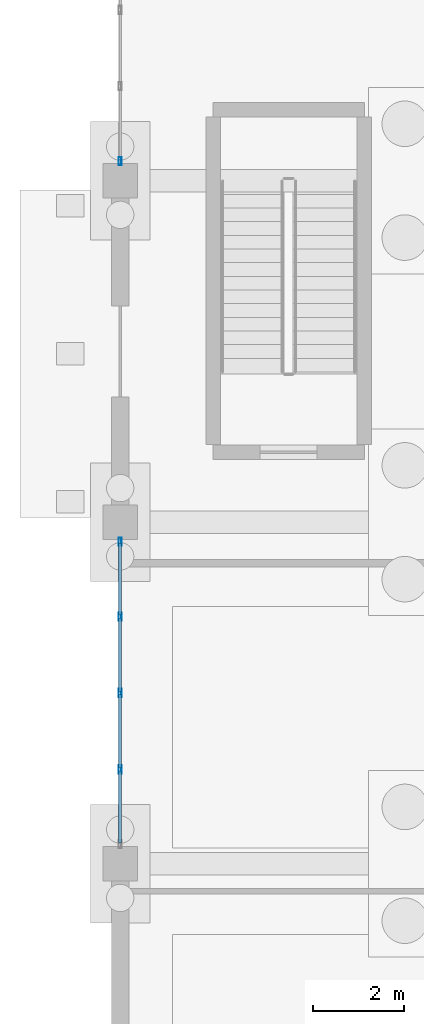
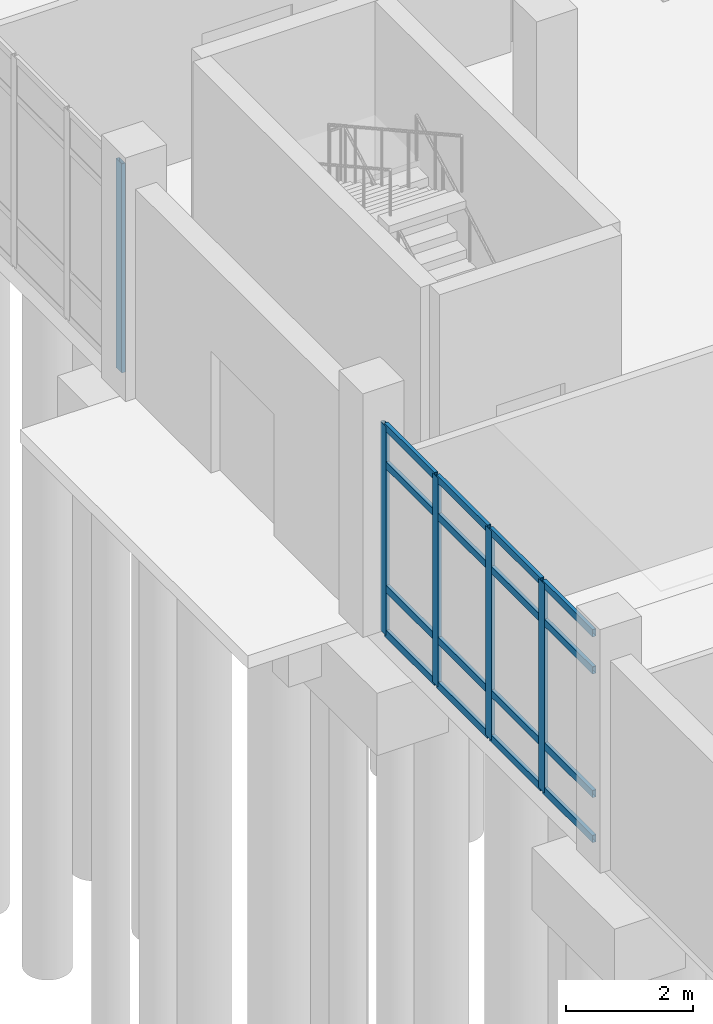
# One storey, part 27 of 173: 21 members, 2 elements without a shape of their own.
"""IFC4 building model written with IfcOpenShell, lengths in metres."""

import ifcopenshell
import ifcopenshell.guid

model = None  # the IFC model being written
_history = None  # IfcOwnerHistory: only IFC2X3 demands one
_inside = {}  # id of a spatial element -> (the spatial element, [elements in it])
_under = {}  # id of a project, library or spatial element -> (it, [spatial elements below it])
_declared = {}  # id of a project -> (the project, [libraries it declares])
_typed = {}  # id of a type object -> (the type object, [elements of that type])
_made_of = {}  # id of a material, layer set ... -> (it, [elements and type objects made of it])


def new_model(schema):
    """Start an empty IFC model of exactly this schema.

    Asked for "IFC4X3", IfcOpenShell would pick the latest addendum, in which some entities
    have other attributes; the version numbers below select the first issue.
    IFC2X3 requires an IfcOwnerHistory on every rooted entity: one is made here for all.
    """
    global model, _history
    if schema == "IFC4X3":
        model = ifcopenshell.file(schema_version=(4, 3, 0, 0))
    else:
        model = ifcopenshell.file(schema=schema)
    _inside.clear()
    _under.clear()
    _declared.clear()
    _typed.clear()
    _made_of.clear()
    _history = None
    if model.schema == "IFC2X3":
        org = make("IfcOrganization", Name="unknown")
        user = make(
            "IfcPersonAndOrganization",
            ThePerson=make("IfcPerson", FamilyName="unknown"),
            TheOrganization=org,
        )
        app = make(
            "IfcApplication",
            ApplicationDeveloper=org,
            Version="unknown",
            ApplicationFullName="unknown",
            ApplicationIdentifier="unknown",
        )
        _history = make(
            "IfcOwnerHistory",
            OwningUser=user,
            OwningApplication=app,
            ChangeAction="ADDED",
            CreationDate=0,
        )
    return model


def make(cls, **values):
    """One entity of the class cls with the attributes given. An attribute that is None is left unset."""
    return model.create_entity(
        cls, **{name: value for name, value in values.items() if value is not None}
    )


def rooted(cls, **values):
    """An entity with a GlobalId (a new one), such as an element, a storey or a relation."""
    return make(cls, GlobalId=ifcopenshell.guid.new(), OwnerHistory=_history, **values)


def si_unit(unit_type, name, prefix=None):
    """IfcSIUnit, for example si_unit("LENGTHUNIT", "METRE", prefix="MILLI")."""
    return make("IfcSIUnit", UnitType=unit_type, Prefix=prefix, Name=name)


def assignment(units):
    """IfcUnitAssignment: the units of a project."""
    return None if units is None else make("IfcUnitAssignment", Units=units)


def point(xyz):
    """IfcCartesianPoint."""
    return None if xyz is None else make("IfcCartesianPoint", Coordinates=xyz)


def direction(xyz):
    """IfcDirection."""
    return None if xyz is None else make("IfcDirection", DirectionRatios=xyz)


def frame(location, z_axis=None, x_axis=None):
    """IfcAxis2Placement3D, a coordinate frame: its origin and axes. An axis left out is left unset."""
    return make(
        "IfcAxis2Placement3D",
        Location=point(location),
        Axis=direction(z_axis),
        RefDirection=direction(x_axis),
    )


def frame_2d(location, x_axis=None):
    """IfcAxis2Placement2D, a coordinate frame in the plane: its origin and x axis."""
    return make(
        "IfcAxis2Placement2D", Location=point(location), RefDirection=direction(x_axis)
    )


def origin():
    """The frame at (0, 0, 0) with its axes left unset."""
    return frame((0.0, 0.0, 0.0))


def origin_2d():
    """The frame at (0, 0) in the plane with its x axis left unset."""
    return frame_2d((0.0, 0.0))


def place(relative_to, where):
    """IfcLocalPlacement: puts the frame where relative to a parent placement (None: the world)."""
    return make(
        "IfcLocalPlacement", PlacementRelTo=relative_to, RelativePlacement=where
    )


def context(
    kind, dimensions, precision=None, world=None, true_north=None, identifier=None
):
    """IfcGeometricRepresentationContext, for example the 3D "Model" context."""
    return make(
        "IfcGeometricRepresentationContext",
        ContextIdentifier=identifier,
        ContextType=kind,
        CoordinateSpaceDimension=dimensions,
        Precision=precision,
        WorldCoordinateSystem=world,
        TrueNorth=true_north,
    )


def subcontext(parent, identifier, kind, view, scale=None):
    """IfcGeometricRepresentationSubContext, for example "Body" below "Model"."""
    return make(
        "IfcGeometricRepresentationSubContext",
        ContextIdentifier=identifier,
        ContextType=kind,
        ParentContext=parent,
        TargetScale=scale,
        TargetView=view,
    )


def project(units=None, contexts=None):
    """IfcProject with its units and contexts."""
    return rooted(
        "IfcProject",
        Name="project",
        RepresentationContexts=contexts,
        UnitsInContext=assignment(units),
    )


def spatial(cls, under=None, at=None, **own):
    """A site, building, storey or space (cls), placed at a placement, below another one or the project."""
    s = rooted(cls, ObjectPlacement=at, **own)
    if under is not None:
        _under.setdefault(under.id(), (under, []))[1].append(s)
    return s


def profile(cls, at=None, kind="AREA", **sizes):
    """A parametric profile (cls). Its sizes go by their IFC names, for example OverallWidth=200.0."""
    return make(cls, ProfileType=kind, Position=at, **sizes)


def hollow_rectangle(**sizes):
    """IfcRectangleHollowProfileDef."""
    return profile("IfcRectangleHollowProfileDef", **sizes)


def extrude(swept, where, along, depth):
    """IfcExtrudedAreaSolid: the profile swept, set in the frame where, extruded along a direction by depth."""
    return make(
        "IfcExtrudedAreaSolid",
        SweptArea=swept,
        Position=where,
        ExtrudedDirection=direction(along),
        Depth=depth,
    )


def shape(context_of_items, identifier, shape_type, items):
    """IfcShapeRepresentation: the items that make up one representation, for example the "Body"."""
    return make(
        "IfcShapeRepresentation",
        ContextOfItems=context_of_items,
        RepresentationIdentifier=identifier,
        RepresentationType=shape_type,
        Items=items,
    )


def material(Name=None, Category=None):
    """IfcMaterial."""
    return make("IfcMaterial", Name=Name, Category=Category)


def layer(
    of_material, thickness, ventilated=None, Name=None, Category=None, Priority=None
):
    """IfcMaterialLayer: one layer of a wall or slab, of a material (None: an air gap)."""
    return make(
        "IfcMaterialLayer",
        Material=of_material,
        LayerThickness=thickness,
        IsVentilated=ventilated,
        Name=Name,
        Category=Category,
        Priority=Priority,
    )


def layer_set(layers, Name=None):
    """IfcMaterialLayerSet."""
    return make("IfcMaterialLayerSet", MaterialLayers=layers, LayerSetName=Name)


def material_profile(
    of_material, cross_section, Name=None, Category=None, Priority=None
):
    """IfcMaterialProfile: a cross section and its material."""
    return make(
        "IfcMaterialProfile",
        Name=Name,
        Material=of_material,
        Profile=cross_section,
        Priority=Priority,
        Category=Category,
    )


def profile_set(profiles, Name=None, composite=None):
    """IfcMaterialProfileSet."""
    return make(
        "IfcMaterialProfileSet",
        Name=Name,
        MaterialProfiles=profiles,
        CompositeProfile=composite,
    )


def made_of(thing, what):
    """Note that an element or type object is made of a material, layer set ...; save() writes the relation."""
    if what is not None:
        _made_of.setdefault(what.id(), (what, []))[1].append(thing)
    return thing


def type_object(cls, material=None, **own):
    """A type object (cls), such as IfcWallType, which elements share."""
    return made_of(rooted(cls, **own), material)


def element(
    cls,
    number,
    at=None,
    inside=None,
    cuts=None,
    type_object=None,
    material=None,
    context=None,
    identifier="Body",
    shape_type=None,
    held_by="IfcProductDefinitionShape",
    body=None,
    shapes=None,
    **own,
):
    """One element of the class cls, such as IfcWall. Its Tag is "e" and its number.

    at: its placement. inside: the storey or other place that contains it. cuts: it is an
    opening in that element (IfcRelVoidsElement). A single representation is given by context,
    identifier, shape_type and body (its items); several are given by shapes. held_by: the class
    of the entity that holds the representations. save() writes the other relations.
    """
    e = rooted(cls, Tag="e%d" % number, ObjectPlacement=at, **own)
    if body is not None:
        shapes = [shape(context, identifier, shape_type, body)]
    if shapes is not None:
        e.Representation = make(held_by, Representations=shapes)
    if inside is not None:
        _inside.setdefault(inside.id(), (inside, []))[1].append(e)
    if cuts is not None:
        rooted(
            "IfcRelVoidsElement", RelatingBuildingElement=cuts, RelatedOpeningElement=e
        )
    if type_object is not None:
        _typed.setdefault(type_object.id(), (type_object, []))[1].append(e)
    return made_of(e, material)


def aggregate(whole, parts):
    """IfcRelAggregates: a whole, such as a stair, and the parts it consists of."""
    return rooted("IfcRelAggregates", RelatingObject=whole, RelatedObjects=parts)


def save(model, path):
    """Write the relations noted so far, then the file.

    IfcRelAggregates (storeys below a building ...), IfcRelContainedInSpatialStructure (elements
    in a storey), IfcRelDefinesByType, IfcRelAssociatesMaterial and IfcRelDeclares: one each for
    every whole, place, type object, material and project.
    """
    for whole, parts in _under.values():
        aggregate(whole, parts)
    for where, things in _inside.values():
        rooted(
            "IfcRelContainedInSpatialStructure",
            RelatedElements=things,
            RelatingStructure=where,
        )
    for kind, things in _typed.values():
        rooted("IfcRelDefinesByType", RelatedObjects=things, RelatingType=kind)
    for what, things in _made_of.values():
        rooted("IfcRelAssociatesMaterial", RelatedObjects=things, RelatingMaterial=what)
    for by, libraries in _declared.values():
        rooted("IfcRelDeclares", RelatingContext=by, RelatedDefinitions=libraries)
    model.write(path)


model = new_model("IFC4")

# Units and contexts
model_context = context("Model", 3, precision=1e-05, world=origin(), true_north=direction((0.0, 1.0)))
body_context = subcontext(model_context, "Body", "Model", "MODEL_VIEW")
ifc_project = project(units=[si_unit("LENGTHUNIT", "METRE"), si_unit("AREAUNIT", "SQUARE_METRE"), si_unit("VOLUMEUNIT", "CUBIC_METRE"), si_unit("PLANEANGLEUNIT", "RADIAN"), si_unit("MASSUNIT", "GRAM", prefix="KILO")], contexts=[model_context])

# Site, building, storey
site_placement = place(None, origin())
site = spatial("IfcSite", under=ifc_project, at=site_placement, CompositionType="ELEMENT")
building_placement = place(site_placement, origin())
building = spatial("IfcBuilding", under=site, at=building_placement, Name="Mawjan Specialist Oncology Clinic", CompositionType="ELEMENT")
storey_placement = place(building_placement, origin())
storey = spatial("IfcBuildingStorey", under=building, at=storey_placement, Name="L00", CompositionType="ELEMENT", Elevation=0.0)

# Curtain wall, members
ifc_material_1 = material(Name="Unitised spectrally selective aluminium curtain wall", Category="aluminium")
ifc_layer = layer(ifc_material_1, 0.179931640625, Name="Unitised spectrally selective aluminium curtain wall", Category="aluminium")
ifc_layer_set = layer_set([ifc_layer], Name="Unitised spectrally selective aluminium curtain wall")
curtain_wall_type = type_object("IfcCurtainWallType", Name="CW-02", PredefinedType="NOTDEFINED", material=ifc_layer_set)
curtain_wall_1_placement = place(storey_placement, origin())
curtain_wall_1 = element("IfcCurtainWall", 1, at=curtain_wall_1_placement, inside=storey, type_object=curtain_wall_type, Name="L00 Unitised Curtain Wall CW-L00-003", PredefinedType="NOTDEFINED")
ifc_material_2 = material(Name="Thermally broken aluminium 6063-T6", Category="aluminium")
ifc_material_profile_1 = material_profile(ifc_material_2, hollow_rectangle(XDim=0.06494140625, YDim=0.179931640625, WallThickness=0.00390625, at=origin_2d()), Name="ALU MULLION 180x65x4", Category="aluminium")
ifc_profile_set_1 = profile_set([ifc_material_profile_1], Name="Thermally broken aluminium 6063-T6")
member_type_1 = type_object("IfcMemberType", Name="CW-M180", PredefinedType="MULLION", material=ifc_profile_set_1)
member_1_placement = place(storey_placement, frame((0.0, 17.87255859375, 0.0), z_axis=(0.0, 0.0, 1.0), x_axis=(-1.0, 0.0, 0.0)))
member_1 = element("IfcMember", 2, at=member_1_placement, type_object=member_type_1, Name="CW-02 mullion 2", PredefinedType="MULLION", context=body_context, shape_type="SweptSolid", body=[
    extrude(hollow_rectangle(XDim=0.06494140625, YDim=0.179931640625, WallThickness=0.00390625, at=origin_2d()), origin(), (0.0, 0.0, 1.0), 4.034912109375),
])
member_2_placement = place(storey_placement, frame((0.0, 19.550048828125, 0.0), z_axis=(0.0, 0.0, 1.0), x_axis=(-1.0, 0.0, 0.0)))
member_2 = element("IfcMember", 3, at=member_2_placement, type_object=member_type_1, Name="CW-02 mullion 3", PredefinedType="MULLION", context=body_context, shape_type="SweptSolid", body=[
    extrude(hollow_rectangle(XDim=0.06494140625, YDim=0.179931640625, WallThickness=0.00390625, at=origin_2d()), origin(), (0.0, 0.0, 1.0), 4.034912109375),
])
member_3_placement = place(storey_placement, frame((0.0, 21.2275390625, 0.0), z_axis=(0.0, 0.0, 1.0), x_axis=(-1.0, 0.0, 0.0)))
member_3 = element("IfcMember", 4, at=member_3_placement, type_object=member_type_1, Name="CW-02 mullion 4", PredefinedType="MULLION", context=body_context, shape_type="SweptSolid", body=[
    extrude(hollow_rectangle(XDim=0.06494140625, YDim=0.179931640625, WallThickness=0.00390625, at=origin_2d()), origin(), (0.0, 0.0, 1.0), 4.034912109375),
])
member_4_placement = place(storey_placement, frame((0.0, 22.87255859375, 0.0), z_axis=(0.0, 0.0, 1.0), x_axis=(-1.0, 0.0, 0.0)))
member_4 = element("IfcMember", 5, at=member_4_placement, type_object=member_type_1, Name="CW-02 mullion 5", PredefinedType="MULLION", context=body_context, shape_type="SweptSolid", body=[
    extrude(hollow_rectangle(XDim=0.06494140625, YDim=0.179931640625, WallThickness=0.00390625, at=origin_2d()), origin(), (0.0, 0.0, 1.0), 4.034912109375),
])

# Curtain wall, member
curtain_wall_2_placement = place(storey_placement, origin())
curtain_wall_2 = element("IfcCurtainWall", 6, at=curtain_wall_2_placement, inside=storey, type_object=curtain_wall_type, Name="L00 Unitised Curtain Wall CW-L00-004", PredefinedType="NOTDEFINED")
member_5_placement = place(storey_placement, frame((0.0, 31.2275390625, 0.0), z_axis=(0.0, 0.0, 1.0), x_axis=(-1.0, 0.0, 0.0)))
member_5 = element("IfcMember", 7, at=member_5_placement, type_object=member_type_1, Name="CW-02 mullion 1", PredefinedType="MULLION", context=body_context, shape_type="SweptSolid", body=[
    extrude(hollow_rectangle(XDim=0.06494140625, YDim=0.179931640625, WallThickness=0.00390625, at=origin_2d()), origin(), (0.0, 0.0, 1.0), 4.034912109375),
])
aggregate(curtain_wall_2, [member_5])

# Member
ifc_material_3 = material(Name="Thermally broken aluminium 6063-T6", Category="aluminium")
ifc_material_profile_2 = material_profile(ifc_material_3, hollow_rectangle(XDim=0.06494140625, YDim=0.139892578125, WallThickness=0.00390625, at=origin_2d()), Name="ALU TRANSOM 140x65x4", Category="aluminium")
ifc_profile_set_2 = profile_set([ifc_material_profile_2], Name="Thermally broken aluminium 6063-T6")
member_type_2 = type_object("IfcMemberType", Name="CW-T140", PredefinedType="USERDEFINED", material=ifc_profile_set_2)
member_6_placement = place(storey_placement, frame((0.0, 16.260009765625, 0.032470703125), z_axis=(0.0, 1.0, 0.0), x_axis=(-1.0, 0.0, 0.0)))
member_6 = element("IfcMember", 8, at=member_6_placement, type_object=member_type_2, Name="CW-02 transom 1.1", ObjectType="TRANSOM", PredefinedType="USERDEFINED", context=body_context, shape_type="SweptSolid", body=[
    extrude(hollow_rectangle(XDim=0.06494140625, YDim=0.139892578125, WallThickness=0.00390625, at=origin_2d()), origin(), (0.0, 0.0, 1.0), 1.580078125),
])

member_7_placement = place(storey_placement, frame((0.0, 16.260009765625, 0.89990234375), z_axis=(0.0, 1.0, 0.0), x_axis=(-1.0, 0.0, 0.0)))
member_7 = element("IfcMember", 9, at=member_7_placement, type_object=member_type_2, Name="CW-02 transom 1.2", ObjectType="TRANSOM", PredefinedType="USERDEFINED", context=body_context, shape_type="SweptSolid", body=[
    extrude(hollow_rectangle(XDim=0.06494140625, YDim=0.139892578125, WallThickness=0.00390625, at=origin_2d()), origin(), (0.0, 0.0, 1.0), 1.580078125),
])

member_8_placement = place(storey_placement, frame((0.0, 16.260009765625, 3.284912109375), z_axis=(0.0, 1.0, 0.0), x_axis=(-1.0, 0.0, 0.0)))
member_8 = element("IfcMember", 10, at=member_8_placement, type_object=member_type_2, Name="CW-02 transom 1.3", ObjectType="TRANSOM", PredefinedType="USERDEFINED", context=body_context, shape_type="SweptSolid", body=[
    extrude(hollow_rectangle(XDim=0.06494140625, YDim=0.139892578125, WallThickness=0.00390625, at=origin_2d()), origin(), (0.0, 0.0, 1.0), 1.580078125),
])

member_9_placement = place(storey_placement, frame((0.0, 16.260009765625, 4.00244140625), z_axis=(0.0, 1.0, 0.0), x_axis=(-1.0, 0.0, 0.0)))
member_9 = element("IfcMember", 11, at=member_9_placement, type_object=member_type_2, Name="CW-02 transom 1.4", ObjectType="TRANSOM", PredefinedType="USERDEFINED", context=body_context, shape_type="SweptSolid", body=[
    extrude(hollow_rectangle(XDim=0.06494140625, YDim=0.139892578125, WallThickness=0.00390625, at=origin_2d()), origin(), (0.0, 0.0, 1.0), 1.580078125),
])

member_10_placement = place(storey_placement, frame((0.0, 17.905029296875, 0.032470703125), z_axis=(0.0, 1.0, 0.0), x_axis=(-1.0, 0.0, 0.0)))
member_10 = element("IfcMember", 12, at=member_10_placement, type_object=member_type_2, Name="CW-02 transom 2.1", ObjectType="TRANSOM", PredefinedType="USERDEFINED", context=body_context, shape_type="SweptSolid", body=[
    extrude(hollow_rectangle(XDim=0.06494140625, YDim=0.139892578125, WallThickness=0.00390625, at=origin_2d()), origin(), (0.0, 0.0, 1.0), 1.612548828125),
])

member_11_placement = place(storey_placement, frame((0.0, 17.905029296875, 0.89990234375), z_axis=(0.0, 1.0, 0.0), x_axis=(-1.0, 0.0, 0.0)))
member_11 = element("IfcMember", 13, at=member_11_placement, type_object=member_type_2, Name="CW-02 transom 2.2", ObjectType="TRANSOM", PredefinedType="USERDEFINED", context=body_context, shape_type="SweptSolid", body=[
    extrude(hollow_rectangle(XDim=0.06494140625, YDim=0.139892578125, WallThickness=0.00390625, at=origin_2d()), origin(), (0.0, 0.0, 1.0), 1.612548828125),
])

member_12_placement = place(storey_placement, frame((0.0, 17.905029296875, 3.284912109375), z_axis=(0.0, 1.0, 0.0), x_axis=(-1.0, 0.0, 0.0)))
member_12 = element("IfcMember", 14, at=member_12_placement, type_object=member_type_2, Name="CW-02 transom 2.3", ObjectType="TRANSOM", PredefinedType="USERDEFINED", context=body_context, shape_type="SweptSolid", body=[
    extrude(hollow_rectangle(XDim=0.06494140625, YDim=0.139892578125, WallThickness=0.00390625, at=origin_2d()), origin(), (0.0, 0.0, 1.0), 1.612548828125),
])

member_13_placement = place(storey_placement, frame((0.0, 17.905029296875, 4.00244140625), z_axis=(0.0, 1.0, 0.0), x_axis=(-1.0, 0.0, 0.0)))
member_13 = element("IfcMember", 15, at=member_13_placement, type_object=member_type_2, Name="CW-02 transom 2.4", ObjectType="TRANSOM", PredefinedType="USERDEFINED", context=body_context, shape_type="SweptSolid", body=[
    extrude(hollow_rectangle(XDim=0.06494140625, YDim=0.139892578125, WallThickness=0.00390625, at=origin_2d()), origin(), (0.0, 0.0, 1.0), 1.612548828125),
])

member_14_placement = place(storey_placement, frame((0.0, 19.58251953125, 0.032470703125), z_axis=(0.0, 1.0, 0.0), x_axis=(-1.0, 0.0, 0.0)))
member_14 = element("IfcMember", 16, at=member_14_placement, type_object=member_type_2, Name="CW-02 transom 3.1", ObjectType="TRANSOM", PredefinedType="USERDEFINED", context=body_context, shape_type="SweptSolid", body=[
    extrude(hollow_rectangle(XDim=0.06494140625, YDim=0.139892578125, WallThickness=0.00390625, at=origin_2d()), origin(), (0.0, 0.0, 1.0), 1.612548828125),
])

member_15_placement = place(storey_placement, frame((0.0, 19.58251953125, 0.89990234375), z_axis=(0.0, 1.0, 0.0), x_axis=(-1.0, 0.0, 0.0)))
member_15 = element("IfcMember", 17, at=member_15_placement, type_object=member_type_2, Name="CW-02 transom 3.2", ObjectType="TRANSOM", PredefinedType="USERDEFINED", context=body_context, shape_type="SweptSolid", body=[
    extrude(hollow_rectangle(XDim=0.06494140625, YDim=0.139892578125, WallThickness=0.00390625, at=origin_2d()), origin(), (0.0, 0.0, 1.0), 1.612548828125),
])

member_16_placement = place(storey_placement, frame((0.0, 19.58251953125, 3.284912109375), z_axis=(0.0, 1.0, 0.0), x_axis=(-1.0, 0.0, 0.0)))
member_16 = element("IfcMember", 18, at=member_16_placement, type_object=member_type_2, Name="CW-02 transom 3.3", ObjectType="TRANSOM", PredefinedType="USERDEFINED", context=body_context, shape_type="SweptSolid", body=[
    extrude(hollow_rectangle(XDim=0.06494140625, YDim=0.139892578125, WallThickness=0.00390625, at=origin_2d()), origin(), (0.0, 0.0, 1.0), 1.612548828125),
])

member_17_placement = place(storey_placement, frame((0.0, 19.58251953125, 4.00244140625), z_axis=(0.0, 1.0, 0.0), x_axis=(-1.0, 0.0, 0.0)))
member_17 = element("IfcMember", 19, at=member_17_placement, type_object=member_type_2, Name="CW-02 transom 3.4", ObjectType="TRANSOM", PredefinedType="USERDEFINED", context=body_context, shape_type="SweptSolid", body=[
    extrude(hollow_rectangle(XDim=0.06494140625, YDim=0.139892578125, WallThickness=0.00390625, at=origin_2d()), origin(), (0.0, 0.0, 1.0), 1.612548828125),
])

member_18_placement = place(storey_placement, frame((0.0, 21.260009765625, 0.032470703125), z_axis=(0.0, 1.0, 0.0), x_axis=(-1.0, 0.0, 0.0)))
member_18 = element("IfcMember", 20, at=member_18_placement, type_object=member_type_2, Name="CW-02 transom 4.1", ObjectType="TRANSOM", PredefinedType="USERDEFINED", context=body_context, shape_type="SweptSolid", body=[
    extrude(hollow_rectangle(XDim=0.06494140625, YDim=0.139892578125, WallThickness=0.00390625, at=origin_2d()), origin(), (0.0, 0.0, 1.0), 1.580078125),
])

member_19_placement = place(storey_placement, frame((0.0, 21.260009765625, 0.89990234375), z_axis=(0.0, 1.0, 0.0), x_axis=(-1.0, 0.0, 0.0)))
member_19 = element("IfcMember", 21, at=member_19_placement, type_object=member_type_2, Name="CW-02 transom 4.2", ObjectType="TRANSOM", PredefinedType="USERDEFINED", context=body_context, shape_type="SweptSolid", body=[
    extrude(hollow_rectangle(XDim=0.06494140625, YDim=0.139892578125, WallThickness=0.00390625, at=origin_2d()), origin(), (0.0, 0.0, 1.0), 1.580078125),
])

member_20_placement = place(storey_placement, frame((0.0, 21.260009765625, 3.284912109375), z_axis=(0.0, 1.0, 0.0), x_axis=(-1.0, 0.0, 0.0)))
member_20 = element("IfcMember", 22, at=member_20_placement, type_object=member_type_2, Name="CW-02 transom 4.3", ObjectType="TRANSOM", PredefinedType="USERDEFINED", context=body_context, shape_type="SweptSolid", body=[
    extrude(hollow_rectangle(XDim=0.06494140625, YDim=0.139892578125, WallThickness=0.00390625, at=origin_2d()), origin(), (0.0, 0.0, 1.0), 1.580078125),
])

member_21_placement = place(storey_placement, frame((0.0, 21.260009765625, 4.00244140625), z_axis=(0.0, 1.0, 0.0), x_axis=(-1.0, 0.0, 0.0)))
member_21 = element("IfcMember", 23, at=member_21_placement, type_object=member_type_2, Name="CW-02 transom 4.4", ObjectType="TRANSOM", PredefinedType="USERDEFINED", context=body_context, shape_type="SweptSolid", body=[
    extrude(hollow_rectangle(XDim=0.06494140625, YDim=0.139892578125, WallThickness=0.00390625, at=origin_2d()), origin(), (0.0, 0.0, 1.0), 1.580078125),
])

aggregate(curtain_wall_1, [member_1, member_2, member_3, member_4, member_6, member_7, member_8, member_9, member_10, member_11, member_12, member_13, member_14, member_15, member_16, member_17, member_18, member_19, member_20, member_21])

save(model, "model.ifc")
